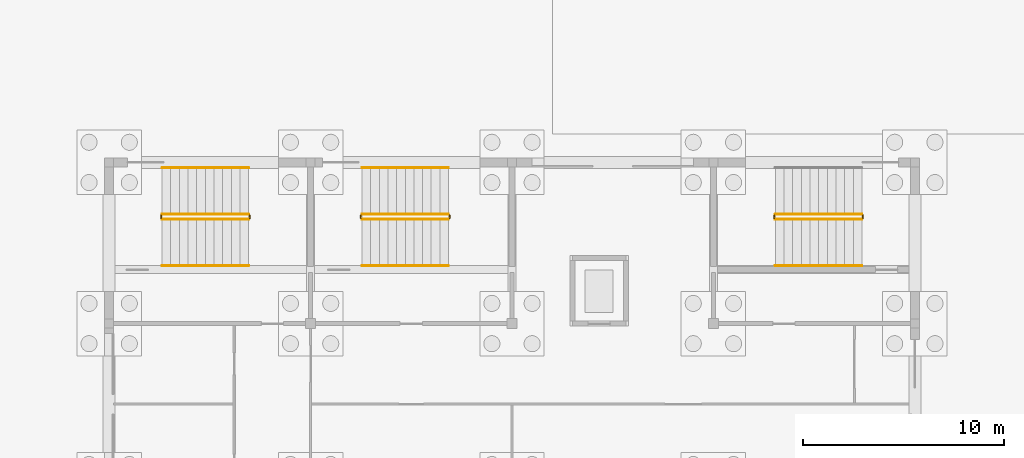
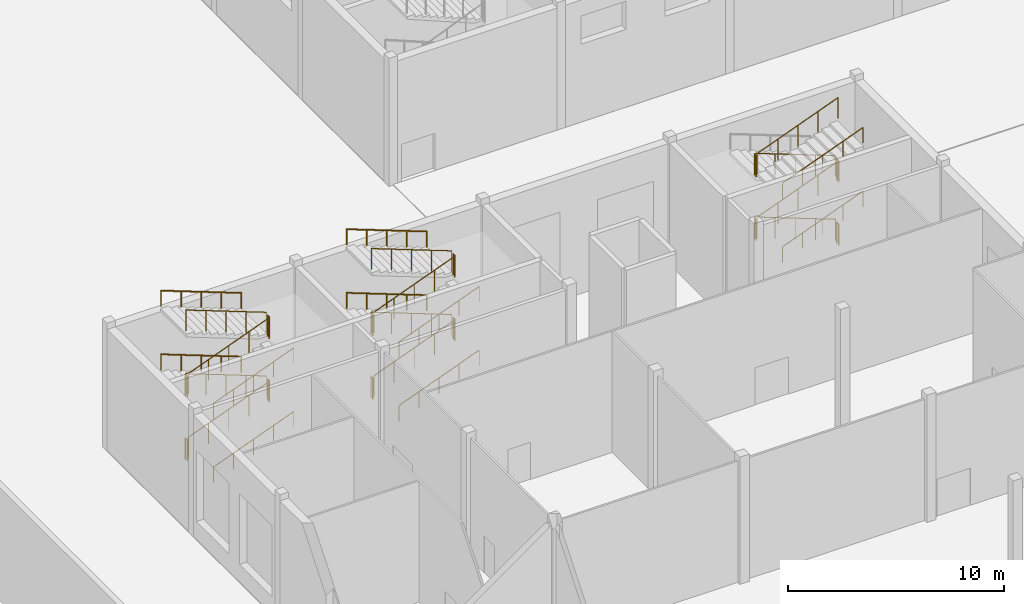
# One storey, part 207 of 239: 34 railings.
"""IFC4 building model written with IfcOpenShell, lengths in metres."""

from ifc_helpers import new_model, si_unit, direction, frame, origin, origin_2d, place, context, subcontext, project, spatial, circle, extrude, material, type_object, element, save


model = new_model("IFC4")

# Units and contexts
model_context = context("Model", 3, precision=1e-05, world=origin(), true_north=direction((0.0, 1.0)))
body_context = subcontext(model_context, "Body", "Model", "MODEL_VIEW")
ifc_project = project(units=[si_unit("LENGTHUNIT", "METRE"), si_unit("AREAUNIT", "SQUARE_METRE"), si_unit("VOLUMEUNIT", "CUBIC_METRE"), si_unit("PLANEANGLEUNIT", "RADIAN"), si_unit("MASSUNIT", "GRAM", prefix="KILO")], contexts=[model_context])

# Site, building, storey
site_placement = place(None, origin())
site = spatial("IfcSite", under=ifc_project, at=site_placement, CompositionType="ELEMENT")
building_placement = place(site_placement, origin())
building = spatial("IfcBuilding", under=site, at=building_placement, Name="Okhra Congress Centre", CompositionType="ELEMENT")
storey_placement = place(building_placement, origin())
storey = spatial("IfcBuildingStorey", under=building, at=storey_placement, Name="L00", CompositionType="ELEMENT", Elevation=0.0)

# Railings
ifc_material_1 = material(Name="Painted steel tube handrail on wall brackets", Category="steel")
railing_type_1 = type_object("IfcRailingType", Name="Steel handrail 900", PredefinedType="HANDRAIL", material=ifc_material_1)
railing_1_placement = place(storey_placement, frame((8.625, 78.875, 0.16357421875)))
element("IfcRailing", 1, at=railing_1_placement, inside=storey, type_object=railing_type_1, Name="L00 R1 stair handrail 1", PredefinedType="HANDRAIL", context=body_context, shape_type="SweptSolid", body=[
    extrude(circle(Radius=0.02392578125, at=origin_2d()), frame((0.0, 0.0, 0.8759765625), z_axis=(0.934606208977, 0.0, 0.355684177526), x_axis=(0.0, 1.0, 0.0)), (0.0, 0.0, 1.0), 4.600830078125),
    extrude(circle(Radius=0.02099609375, at=origin_2d()), origin(), (0.0, 0.0, 1.0), 0.851806640625),
    extrude(circle(Radius=0.02099609375, at=origin_2d()), frame((1.074951171875, 0.0, 0.4091796875)), (0.0, 0.0, 1.0), 0.851806640625),
    extrude(circle(Radius=0.02099609375, at=origin_2d()), frame((2.14990234375, 0.0, 0.818359375)), (0.0, 0.0, 1.0), 0.851806640625),
    extrude(circle(Radius=0.02099609375, at=origin_2d()), frame((3.22509765625, 0.0, 1.227294921875)), (0.0, 0.0, 1.0), 0.851806640625),
    extrude(circle(Radius=0.02099609375, at=origin_2d()), frame((4.300048828125, 0.0, 1.636474609375)), (0.0, 0.0, 1.0), 0.851806640625),
])
railing_2_placement = place(storey_placement, frame((12.925048828125, 83.72509765625, 1.963623046875)))
element("IfcRailing", 2, at=railing_2_placement, inside=storey, type_object=railing_type_1, Name="L00 R1 stair handrail 2", PredefinedType="HANDRAIL", context=body_context, shape_type="SweptSolid", body=[
    extrude(circle(Radius=0.02392578125, at=origin_2d()), frame((0.0, 0.0, 0.8759765625), z_axis=(-0.934606208977, 0.0, 0.355684177526), x_axis=(0.0, -1.0, 0.0)), (0.0, 0.0, 1.0), 4.600830078125),
    extrude(circle(Radius=0.02099609375, at=origin_2d()), origin(), (0.0, 0.0, 1.0), 0.851806640625),
    extrude(circle(Radius=0.02099609375, at=origin_2d()), frame((-1.074951171875, 0.0, 0.4091796875)), (0.0, 0.0, 1.0), 0.851806640625),
    extrude(circle(Radius=0.02099609375, at=origin_2d()), frame((-2.14990234375, 0.0, 0.818359375)), (0.0, 0.0, 1.0), 0.851806640625),
    extrude(circle(Radius=0.02099609375, at=origin_2d()), frame((-3.22509765625, 0.0, 1.227294921875)), (0.0, 0.0, 1.0), 0.851806640625),
    extrude(circle(Radius=0.02099609375, at=origin_2d()), frame((-4.300048828125, 0.0, 1.636474609375)), (0.0, 0.0, 1.0), 0.851806640625),
])
railing_3_placement = place(storey_placement, frame((8.625, 78.875, 3.763671875)))
element("IfcRailing", 3, at=railing_3_placement, inside=storey, type_object=railing_type_1, Name="L00 R1 stair handrail 3", PredefinedType="HANDRAIL", context=body_context, shape_type="SweptSolid", body=[
    extrude(circle(Radius=0.02392578125, at=origin_2d()), frame((0.0, 0.0, 0.8759765625), z_axis=(0.934623847752, 0.0, 0.355637825903), x_axis=(0.0, 1.0, 0.0)), (0.0, 0.0, 1.0), 4.600830078125),
    extrude(circle(Radius=0.02099609375, at=origin_2d()), origin(), (0.0, 0.0, 1.0), 0.851806640625),
    extrude(circle(Radius=0.02099609375, at=origin_2d()), frame((1.074951171875, 0.0, 0.4091796875)), (0.0, 0.0, 1.0), 0.851806640625),
    extrude(circle(Radius=0.02099609375, at=origin_2d()), frame((2.14990234375, 0.0, 0.818115234375)), (0.0, 0.0, 1.0), 0.851806640625),
    extrude(circle(Radius=0.02099609375, at=origin_2d()), frame((3.22509765625, 0.0, 1.22705078125)), (0.0, 0.0, 1.0), 0.851806640625),
    extrude(circle(Radius=0.02099609375, at=origin_2d()), frame((4.300048828125, 0.0, 1.63623046875)), (0.0, 0.0, 1.0), 0.851806640625),
])
railing_4_placement = place(storey_placement, frame((12.925048828125, 83.72509765625, 5.563720703125)))
element("IfcRailing", 4, at=railing_4_placement, inside=storey, type_object=railing_type_1, Name="L00 R1 stair handrail 4", PredefinedType="HANDRAIL", context=body_context, shape_type="SweptSolid", body=[
    extrude(circle(Radius=0.02392578125, at=origin_2d()), frame((0.0, 0.0, 0.8759765625), z_axis=(-0.934623847752, 0.0, 0.355637825903), x_axis=(0.0, -1.0, 0.0)), (0.0, 0.0, 1.0), 4.600830078125),
    extrude(circle(Radius=0.02099609375, at=origin_2d()), origin(), (0.0, 0.0, 1.0), 0.851806640625),
    extrude(circle(Radius=0.02099609375, at=origin_2d()), frame((-1.074951171875, 0.0, 0.4091796875)), (0.0, 0.0, 1.0), 0.851806640625),
    extrude(circle(Radius=0.02099609375, at=origin_2d()), frame((-2.14990234375, 0.0, 0.818115234375)), (0.0, 0.0, 1.0), 0.851806640625),
    extrude(circle(Radius=0.02099609375, at=origin_2d()), frame((-3.22509765625, 0.0, 1.22705078125)), (0.0, 0.0, 1.0), 0.851806640625),
    extrude(circle(Radius=0.02099609375, at=origin_2d()), frame((-4.300048828125, 0.0, 1.63623046875)), (0.0, 0.0, 1.0), 0.851806640625),
])
railing_5_placement = place(storey_placement, frame((18.550048828125, 78.875, 0.16357421875)))
element("IfcRailing", 5, at=railing_5_placement, inside=storey, type_object=railing_type_1, Name="L00 R3 stair handrail 1", PredefinedType="HANDRAIL", context=body_context, shape_type="SweptSolid", body=[
    extrude(circle(Radius=0.02392578125, at=origin_2d()), frame((0.0, 0.0, 0.8759765625), z_axis=(0.934606208977, 0.0, 0.355684177526), x_axis=(0.0, 1.0, 0.0)), (0.0, 0.0, 1.0), 4.600830078125),
    extrude(circle(Radius=0.02099609375, at=origin_2d()), origin(), (0.0, 0.0, 1.0), 0.851806640625),
    extrude(circle(Radius=0.02099609375, at=origin_2d()), frame((1.074951171875, 0.0, 0.4091796875)), (0.0, 0.0, 1.0), 0.851806640625),
    extrude(circle(Radius=0.02099609375, at=origin_2d()), frame((2.14990234375, 0.0, 0.818359375)), (0.0, 0.0, 1.0), 0.851806640625),
    extrude(circle(Radius=0.02099609375, at=origin_2d()), frame((3.22509765625, 0.0, 1.227294921875)), (0.0, 0.0, 1.0), 0.851806640625),
    extrude(circle(Radius=0.02099609375, at=origin_2d()), frame((4.300048828125, 0.0, 1.636474609375)), (0.0, 0.0, 1.0), 0.851806640625),
])
railing_6_placement = place(storey_placement, frame((22.85009765625, 83.72509765625, 1.963623046875)))
element("IfcRailing", 6, at=railing_6_placement, inside=storey, type_object=railing_type_1, Name="L00 R3 stair handrail 2", PredefinedType="HANDRAIL", context=body_context, shape_type="SweptSolid", body=[
    extrude(circle(Radius=0.02392578125, at=origin_2d()), frame((0.0, 0.0, 0.8759765625), z_axis=(-0.934606208977, 0.0, 0.355684177526), x_axis=(0.0, -1.0, 0.0)), (0.0, 0.0, 1.0), 4.600830078125),
    extrude(circle(Radius=0.02099609375, at=origin_2d()), origin(), (0.0, 0.0, 1.0), 0.851806640625),
    extrude(circle(Radius=0.02099609375, at=origin_2d()), frame((-1.074951171875, 0.0, 0.4091796875)), (0.0, 0.0, 1.0), 0.851806640625),
    extrude(circle(Radius=0.02099609375, at=origin_2d()), frame((-2.14990234375, 0.0, 0.818359375)), (0.0, 0.0, 1.0), 0.851806640625),
    extrude(circle(Radius=0.02099609375, at=origin_2d()), frame((-3.22509765625, 0.0, 1.227294921875)), (0.0, 0.0, 1.0), 0.851806640625),
    extrude(circle(Radius=0.02099609375, at=origin_2d()), frame((-4.300048828125, 0.0, 1.636474609375)), (0.0, 0.0, 1.0), 0.851806640625),
])
railing_7_placement = place(storey_placement, frame((18.550048828125, 78.875, 3.763671875)))
element("IfcRailing", 7, at=railing_7_placement, inside=storey, type_object=railing_type_1, Name="L00 R3 stair handrail 3", PredefinedType="HANDRAIL", context=body_context, shape_type="SweptSolid", body=[
    extrude(circle(Radius=0.02392578125, at=origin_2d()), frame((0.0, 0.0, 0.8759765625), z_axis=(0.934623847752, 0.0, 0.355637825903), x_axis=(0.0, 1.0, 0.0)), (0.0, 0.0, 1.0), 4.600830078125),
    extrude(circle(Radius=0.02099609375, at=origin_2d()), origin(), (0.0, 0.0, 1.0), 0.851806640625),
    extrude(circle(Radius=0.02099609375, at=origin_2d()), frame((1.074951171875, 0.0, 0.4091796875)), (0.0, 0.0, 1.0), 0.851806640625),
    extrude(circle(Radius=0.02099609375, at=origin_2d()), frame((2.14990234375, 0.0, 0.818115234375)), (0.0, 0.0, 1.0), 0.851806640625),
    extrude(circle(Radius=0.02099609375, at=origin_2d()), frame((3.22509765625, 0.0, 1.22705078125)), (0.0, 0.0, 1.0), 0.851806640625),
    extrude(circle(Radius=0.02099609375, at=origin_2d()), frame((4.300048828125, 0.0, 1.63623046875)), (0.0, 0.0, 1.0), 0.851806640625),
])
railing_8_placement = place(storey_placement, frame((22.85009765625, 83.72509765625, 5.563720703125)))
element("IfcRailing", 8, at=railing_8_placement, inside=storey, type_object=railing_type_1, Name="L00 R3 stair handrail 4", PredefinedType="HANDRAIL", context=body_context, shape_type="SweptSolid", body=[
    extrude(circle(Radius=0.02392578125, at=origin_2d()), frame((0.0, 0.0, 0.8759765625), z_axis=(-0.934623847752, 0.0, 0.355637825903), x_axis=(0.0, -1.0, 0.0)), (0.0, 0.0, 1.0), 4.600830078125),
    extrude(circle(Radius=0.02099609375, at=origin_2d()), origin(), (0.0, 0.0, 1.0), 0.851806640625),
    extrude(circle(Radius=0.02099609375, at=origin_2d()), frame((-1.074951171875, 0.0, 0.4091796875)), (0.0, 0.0, 1.0), 0.851806640625),
    extrude(circle(Radius=0.02099609375, at=origin_2d()), frame((-2.14990234375, 0.0, 0.818115234375)), (0.0, 0.0, 1.0), 0.851806640625),
    extrude(circle(Radius=0.02099609375, at=origin_2d()), frame((-3.22509765625, 0.0, 1.22705078125)), (0.0, 0.0, 1.0), 0.851806640625),
    extrude(circle(Radius=0.02099609375, at=origin_2d()), frame((-4.300048828125, 0.0, 1.63623046875)), (0.0, 0.0, 1.0), 0.851806640625),
])
railing_9_placement = place(storey_placement, frame((39.074951171875, 78.875, 1.963623046875)))
element("IfcRailing", 9, at=railing_9_placement, inside=storey, type_object=railing_type_1, Name="L00 R2 stair handrail 2", PredefinedType="HANDRAIL", context=body_context, shape_type="SweptSolid", body=[
    extrude(circle(Radius=0.02392578125, at=origin_2d()), frame((0.0, 0.0, 0.8759765625), z_axis=(0.934606208977, 0.0, 0.355684177526), x_axis=(0.0, 1.0, 0.0)), (0.0, 0.0, 1.0), 4.600830078125),
    extrude(circle(Radius=0.02099609375, at=origin_2d()), origin(), (0.0, 0.0, 1.0), 0.851806640625),
    extrude(circle(Radius=0.02099609375, at=origin_2d()), frame((1.074951171875, 0.0, 0.4091796875)), (0.0, 0.0, 1.0), 0.851806640625),
    extrude(circle(Radius=0.02099609375, at=origin_2d()), frame((2.14990234375, 0.0, 0.818359375)), (0.0, 0.0, 1.0), 0.851806640625),
    extrude(circle(Radius=0.02099609375, at=origin_2d()), frame((3.22509765625, 0.0, 1.227294921875)), (0.0, 0.0, 1.0), 0.851806640625),
    extrude(circle(Radius=0.02099609375, at=origin_2d()), frame((4.300048828125, 0.0, 1.636474609375)), (0.0, 0.0, 1.0), 0.851806640625),
])
railing_10_placement = place(storey_placement, frame((39.074951171875, 78.875, 5.563720703125)))
element("IfcRailing", 10, at=railing_10_placement, inside=storey, type_object=railing_type_1, Name="L00 R2 stair handrail 4", PredefinedType="HANDRAIL", context=body_context, shape_type="SweptSolid", body=[
    extrude(circle(Radius=0.02392578125, at=origin_2d()), frame((0.0, 0.0, 0.8759765625), z_axis=(0.934623847752, 0.0, 0.355637825903), x_axis=(0.0, 1.0, 0.0)), (0.0, 0.0, 1.0), 4.600830078125),
    extrude(circle(Radius=0.02099609375, at=origin_2d()), origin(), (0.0, 0.0, 1.0), 0.851806640625),
    extrude(circle(Radius=0.02099609375, at=origin_2d()), frame((1.074951171875, 0.0, 0.4091796875)), (0.0, 0.0, 1.0), 0.851806640625),
    extrude(circle(Radius=0.02099609375, at=origin_2d()), frame((2.14990234375, 0.0, 0.818115234375)), (0.0, 0.0, 1.0), 0.851806640625),
    extrude(circle(Radius=0.02099609375, at=origin_2d()), frame((3.22509765625, 0.0, 1.22705078125)), (0.0, 0.0, 1.0), 0.851806640625),
    extrude(circle(Radius=0.02099609375, at=origin_2d()), frame((4.300048828125, 0.0, 1.63623046875)), (0.0, 0.0, 1.0), 0.851806640625),
])
ifc_material_2 = material(Name="Painted steel tube guard with vertical steel balusters", Category="steel")
railing_type_2 = type_object("IfcRailingType", Name="Steel stair guard 1200", PredefinedType="GUARDRAIL", material=ifc_material_2)
railing_11_placement = place(storey_placement, frame((8.625, 81.175048828125, 0.16357421875)))
element("IfcRailing", 11, at=railing_11_placement, inside=storey, type_object=railing_type_2, Name="L00 R1 stair guard 1", PredefinedType="GUARDRAIL", context=body_context, shape_type="SweptSolid", body=[
    extrude(circle(Radius=0.02392578125, at=origin_2d()), frame((0.0, 0.0, 1.17578125), z_axis=(0.934606208977, 0.0, 0.355684177526), x_axis=(0.0, 1.0, 0.0)), (0.0, 0.0, 1.0), 4.600830078125),
    extrude(circle(Radius=0.02099609375, at=origin_2d()), origin(), (0.0, 0.0, 1.0), 1.15185546875),
    extrude(circle(Radius=0.02099609375, at=origin_2d()), frame((1.074951171875, 0.0, 0.4091796875)), (0.0, 0.0, 1.0), 1.15185546875),
    extrude(circle(Radius=0.02099609375, at=origin_2d()), frame((2.14990234375, 0.0, 0.818359375)), (0.0, 0.0, 1.0), 1.15185546875),
    extrude(circle(Radius=0.02099609375, at=origin_2d()), frame((3.22509765625, 0.0, 1.227294921875)), (0.0, 0.0, 1.0), 1.15185546875),
    extrude(circle(Radius=0.02099609375, at=origin_2d()), frame((4.300048828125, 0.0, 1.636474609375)), (0.0, 0.0, 1.0), 1.15185546875),
])
railing_12_placement = place(storey_placement, frame((12.97509765625, 81.22509765625, 1.800048828125)))
element("IfcRailing", 12, at=railing_12_placement, inside=storey, type_object=railing_type_2, Name="L00 R1 stair guard 2", PredefinedType="GUARDRAIL", context=body_context, shape_type="SweptSolid", body=[
    extrude(circle(Radius=0.02392578125, at=origin_2d()), frame((0.0, 0.0, 1.17578125), z_axis=(0.0, 1.0, 0.0), x_axis=(-1.0, 0.0, 0.0)), (0.0, 0.0, 1.0), 0.14990234375),
    extrude(circle(Radius=0.02099609375, at=origin_2d()), origin(), (0.0, 0.0, 1.0), 1.15185546875),
    extrude(circle(Radius=0.02099609375, at=origin_2d()), frame((0.0, 0.14990234375, 0.0)), (0.0, 0.0, 1.0), 1.15185546875),
])
railing_13_placement = place(storey_placement, frame((12.925048828125, 81.425048828125, 1.963623046875)))
element("IfcRailing", 13, at=railing_13_placement, inside=storey, type_object=railing_type_2, Name="L00 R1 stair guard 3", PredefinedType="GUARDRAIL", context=body_context, shape_type="SweptSolid", body=[
    extrude(circle(Radius=0.02392578125, at=origin_2d()), frame((0.0, 0.0, 1.17578125), z_axis=(-0.934606208977, 0.0, 0.355684177526), x_axis=(0.0, -1.0, 0.0)), (0.0, 0.0, 1.0), 4.600830078125),
    extrude(circle(Radius=0.02099609375, at=origin_2d()), origin(), (0.0, 0.0, 1.0), 1.15185546875),
    extrude(circle(Radius=0.02099609375, at=origin_2d()), frame((-1.074951171875, 0.0, 0.4091796875)), (0.0, 0.0, 1.0), 1.15185546875),
    extrude(circle(Radius=0.02099609375, at=origin_2d()), frame((-2.14990234375, 0.0, 0.818359375)), (0.0, 0.0, 1.0), 1.15185546875),
    extrude(circle(Radius=0.02099609375, at=origin_2d()), frame((-3.22509765625, 0.0, 1.227294921875)), (0.0, 0.0, 1.0), 1.15185546875),
    extrude(circle(Radius=0.02099609375, at=origin_2d()), frame((-4.300048828125, 0.0, 1.636474609375)), (0.0, 0.0, 1.0), 1.15185546875),
])
railing_14_placement = place(storey_placement, frame((8.574951171875, 81.22509765625, 3.60009765625)))
element("IfcRailing", 14, at=railing_14_placement, inside=storey, type_object=railing_type_2, Name="L00 R1 stair guard 4", PredefinedType="GUARDRAIL", context=body_context, shape_type="SweptSolid", body=[
    extrude(circle(Radius=0.02392578125, at=origin_2d()), frame((0.0, 0.0, 1.17578125), z_axis=(0.0, 1.0, 0.0), x_axis=(-1.0, 0.0, 0.0)), (0.0, 0.0, 1.0), 0.14990234375),
    extrude(circle(Radius=0.02099609375, at=origin_2d()), origin(), (0.0, 0.0, 1.0), 1.15185546875),
    extrude(circle(Radius=0.02099609375, at=origin_2d()), frame((0.0, 0.14990234375, 0.0)), (0.0, 0.0, 1.0), 1.15185546875),
])
railing_15_placement = place(storey_placement, frame((8.625, 81.175048828125, 3.763671875)))
element("IfcRailing", 15, at=railing_15_placement, inside=storey, type_object=railing_type_2, Name="L00 R1 stair guard 5", PredefinedType="GUARDRAIL", context=body_context, shape_type="SweptSolid", body=[
    extrude(circle(Radius=0.02392578125, at=origin_2d()), frame((0.0, 0.0, 1.17578125), z_axis=(0.934623847752, 0.0, 0.355637825903), x_axis=(0.0, 1.0, 0.0)), (0.0, 0.0, 1.0), 4.600830078125),
    extrude(circle(Radius=0.02099609375, at=origin_2d()), origin(), (0.0, 0.0, 1.0), 1.15185546875),
    extrude(circle(Radius=0.02099609375, at=origin_2d()), frame((1.074951171875, 0.0, 0.4091796875)), (0.0, 0.0, 1.0), 1.15185546875),
    extrude(circle(Radius=0.02099609375, at=origin_2d()), frame((2.14990234375, 0.0, 0.818115234375)), (0.0, 0.0, 1.0), 1.15185546875),
    extrude(circle(Radius=0.02099609375, at=origin_2d()), frame((3.22509765625, 0.0, 1.22705078125)), (0.0, 0.0, 1.0), 1.15185546875),
    extrude(circle(Radius=0.02099609375, at=origin_2d()), frame((4.300048828125, 0.0, 1.63623046875)), (0.0, 0.0, 1.0), 1.15185546875),
])
railing_16_placement = place(storey_placement, frame((12.97509765625, 81.22509765625, 5.39990234375)))
element("IfcRailing", 16, at=railing_16_placement, inside=storey, type_object=railing_type_2, Name="L00 R1 stair guard 6", PredefinedType="GUARDRAIL", context=body_context, shape_type="SweptSolid", body=[
    extrude(circle(Radius=0.02392578125, at=origin_2d()), frame((0.0, 0.0, 1.17578125), z_axis=(0.0, 1.0, 0.0), x_axis=(-1.0, 0.0, 0.0)), (0.0, 0.0, 1.0), 0.14990234375),
    extrude(circle(Radius=0.02099609375, at=origin_2d()), origin(), (0.0, 0.0, 1.0), 1.15185546875),
    extrude(circle(Radius=0.02099609375, at=origin_2d()), frame((0.0, 0.14990234375, 0.0)), (0.0, 0.0, 1.0), 1.15185546875),
])
railing_17_placement = place(storey_placement, frame((12.925048828125, 81.425048828125, 5.563720703125)))
element("IfcRailing", 17, at=railing_17_placement, inside=storey, type_object=railing_type_2, Name="L00 R1 stair guard 7", PredefinedType="GUARDRAIL", context=body_context, shape_type="SweptSolid", body=[
    extrude(circle(Radius=0.02392578125, at=origin_2d()), frame((0.0, 0.0, 1.17578125), z_axis=(-0.934623847752, 0.0, 0.355637825903), x_axis=(0.0, -1.0, 0.0)), (0.0, 0.0, 1.0), 4.600830078125),
    extrude(circle(Radius=0.02099609375, at=origin_2d()), origin(), (0.0, 0.0, 1.0), 1.15185546875),
    extrude(circle(Radius=0.02099609375, at=origin_2d()), frame((-1.074951171875, 0.0, 0.4091796875)), (0.0, 0.0, 1.0), 1.15185546875),
    extrude(circle(Radius=0.02099609375, at=origin_2d()), frame((-2.14990234375, 0.0, 0.818115234375)), (0.0, 0.0, 1.0), 1.15185546875),
    extrude(circle(Radius=0.02099609375, at=origin_2d()), frame((-3.22509765625, 0.0, 1.22705078125)), (0.0, 0.0, 1.0), 1.15185546875),
    extrude(circle(Radius=0.02099609375, at=origin_2d()), frame((-4.300048828125, 0.0, 1.63623046875)), (0.0, 0.0, 1.0), 1.15185546875),
])
railing_18_placement = place(storey_placement, frame((8.574951171875, 81.22509765625, 0.0)))
element("IfcRailing", 18, at=railing_18_placement, inside=storey, type_object=railing_type_2, Name="L00 R1 stair guard 8", PredefinedType="GUARDRAIL", context=body_context, shape_type="SweptSolid", body=[
    extrude(circle(Radius=0.02392578125, at=origin_2d()), frame((0.0, 0.0, 1.17578125), z_axis=(0.0, 1.0, 0.0), x_axis=(-1.0, 0.0, 0.0)), (0.0, 0.0, 1.0), 0.14990234375),
    extrude(circle(Radius=0.02099609375, at=origin_2d()), origin(), (0.0, 0.0, 1.0), 1.15185546875),
    extrude(circle(Radius=0.02099609375, at=origin_2d()), frame((0.0, 0.14990234375, 0.0)), (0.0, 0.0, 1.0), 1.15185546875),
])
railing_19_placement = place(storey_placement, frame((18.550048828125, 81.175048828125, 0.16357421875)))
element("IfcRailing", 19, at=railing_19_placement, inside=storey, type_object=railing_type_2, Name="L00 R3 stair guard 1", PredefinedType="GUARDRAIL", context=body_context, shape_type="SweptSolid", body=[
    extrude(circle(Radius=0.02392578125, at=origin_2d()), frame((0.0, 0.0, 1.17578125), z_axis=(0.934606208977, 0.0, 0.355684177526), x_axis=(0.0, 1.0, 0.0)), (0.0, 0.0, 1.0), 4.600830078125),
    extrude(circle(Radius=0.02099609375, at=origin_2d()), origin(), (0.0, 0.0, 1.0), 1.15185546875),
    extrude(circle(Radius=0.02099609375, at=origin_2d()), frame((1.074951171875, 0.0, 0.4091796875)), (0.0, 0.0, 1.0), 1.15185546875),
    extrude(circle(Radius=0.02099609375, at=origin_2d()), frame((2.14990234375, 0.0, 0.818359375)), (0.0, 0.0, 1.0), 1.15185546875),
    extrude(circle(Radius=0.02099609375, at=origin_2d()), frame((3.22509765625, 0.0, 1.227294921875)), (0.0, 0.0, 1.0), 1.15185546875),
    extrude(circle(Radius=0.02099609375, at=origin_2d()), frame((4.300048828125, 0.0, 1.636474609375)), (0.0, 0.0, 1.0), 1.15185546875),
])
railing_20_placement = place(storey_placement, frame((22.89990234375, 81.22509765625, 1.800048828125)))
element("IfcRailing", 20, at=railing_20_placement, inside=storey, type_object=railing_type_2, Name="L00 R3 stair guard 2", PredefinedType="GUARDRAIL", context=body_context, shape_type="SweptSolid", body=[
    extrude(circle(Radius=0.02392578125, at=origin_2d()), frame((0.0, 0.0, 1.17578125), z_axis=(0.0, 1.0, 0.0), x_axis=(-1.0, 0.0, 0.0)), (0.0, 0.0, 1.0), 0.14990234375),
    extrude(circle(Radius=0.02099609375, at=origin_2d()), origin(), (0.0, 0.0, 1.0), 1.15185546875),
    extrude(circle(Radius=0.02099609375, at=origin_2d()), frame((0.0, 0.14990234375, 0.0)), (0.0, 0.0, 1.0), 1.15185546875),
])
railing_21_placement = place(storey_placement, frame((22.85009765625, 81.425048828125, 1.963623046875)))
element("IfcRailing", 21, at=railing_21_placement, inside=storey, type_object=railing_type_2, Name="L00 R3 stair guard 3", PredefinedType="GUARDRAIL", context=body_context, shape_type="SweptSolid", body=[
    extrude(circle(Radius=0.02392578125, at=origin_2d()), frame((0.0, 0.0, 1.17578125), z_axis=(-0.934606208977, 0.0, 0.355684177526), x_axis=(0.0, -1.0, 0.0)), (0.0, 0.0, 1.0), 4.600830078125),
    extrude(circle(Radius=0.02099609375, at=origin_2d()), origin(), (0.0, 0.0, 1.0), 1.15185546875),
    extrude(circle(Radius=0.02099609375, at=origin_2d()), frame((-1.074951171875, 0.0, 0.4091796875)), (0.0, 0.0, 1.0), 1.15185546875),
    extrude(circle(Radius=0.02099609375, at=origin_2d()), frame((-2.14990234375, 0.0, 0.818359375)), (0.0, 0.0, 1.0), 1.15185546875),
    extrude(circle(Radius=0.02099609375, at=origin_2d()), frame((-3.22509765625, 0.0, 1.227294921875)), (0.0, 0.0, 1.0), 1.15185546875),
    extrude(circle(Radius=0.02099609375, at=origin_2d()), frame((-4.300048828125, 0.0, 1.636474609375)), (0.0, 0.0, 1.0), 1.15185546875),
])
railing_22_placement = place(storey_placement, frame((18.5, 81.22509765625, 3.60009765625)))
element("IfcRailing", 22, at=railing_22_placement, inside=storey, type_object=railing_type_2, Name="L00 R3 stair guard 4", PredefinedType="GUARDRAIL", context=body_context, shape_type="SweptSolid", body=[
    extrude(circle(Radius=0.02392578125, at=origin_2d()), frame((0.0, 0.0, 1.17578125), z_axis=(0.0, 1.0, 0.0), x_axis=(-1.0, 0.0, 0.0)), (0.0, 0.0, 1.0), 0.14990234375),
    extrude(circle(Radius=0.02099609375, at=origin_2d()), origin(), (0.0, 0.0, 1.0), 1.15185546875),
    extrude(circle(Radius=0.02099609375, at=origin_2d()), frame((0.0, 0.14990234375, 0.0)), (0.0, 0.0, 1.0), 1.15185546875),
])
railing_23_placement = place(storey_placement, frame((18.550048828125, 81.175048828125, 3.763671875)))
element("IfcRailing", 23, at=railing_23_placement, inside=storey, type_object=railing_type_2, Name="L00 R3 stair guard 5", PredefinedType="GUARDRAIL", context=body_context, shape_type="SweptSolid", body=[
    extrude(circle(Radius=0.02392578125, at=origin_2d()), frame((0.0, 0.0, 1.17578125), z_axis=(0.934623847752, 0.0, 0.355637825903), x_axis=(0.0, 1.0, 0.0)), (0.0, 0.0, 1.0), 4.600830078125),
    extrude(circle(Radius=0.02099609375, at=origin_2d()), origin(), (0.0, 0.0, 1.0), 1.15185546875),
    extrude(circle(Radius=0.02099609375, at=origin_2d()), frame((1.074951171875, 0.0, 0.4091796875)), (0.0, 0.0, 1.0), 1.15185546875),
    extrude(circle(Radius=0.02099609375, at=origin_2d()), frame((2.14990234375, 0.0, 0.818115234375)), (0.0, 0.0, 1.0), 1.15185546875),
    extrude(circle(Radius=0.02099609375, at=origin_2d()), frame((3.22509765625, 0.0, 1.22705078125)), (0.0, 0.0, 1.0), 1.15185546875),
    extrude(circle(Radius=0.02099609375, at=origin_2d()), frame((4.300048828125, 0.0, 1.63623046875)), (0.0, 0.0, 1.0), 1.15185546875),
])
railing_24_placement = place(storey_placement, frame((22.89990234375, 81.22509765625, 5.39990234375)))
element("IfcRailing", 24, at=railing_24_placement, inside=storey, type_object=railing_type_2, Name="L00 R3 stair guard 6", PredefinedType="GUARDRAIL", context=body_context, shape_type="SweptSolid", body=[
    extrude(circle(Radius=0.02392578125, at=origin_2d()), frame((0.0, 0.0, 1.17578125), z_axis=(0.0, 1.0, 0.0), x_axis=(-1.0, 0.0, 0.0)), (0.0, 0.0, 1.0), 0.14990234375),
    extrude(circle(Radius=0.02099609375, at=origin_2d()), origin(), (0.0, 0.0, 1.0), 1.15185546875),
    extrude(circle(Radius=0.02099609375, at=origin_2d()), frame((0.0, 0.14990234375, 0.0)), (0.0, 0.0, 1.0), 1.15185546875),
])
railing_25_placement = place(storey_placement, frame((22.85009765625, 81.425048828125, 5.563720703125)))
element("IfcRailing", 25, at=railing_25_placement, inside=storey, type_object=railing_type_2, Name="L00 R3 stair guard 7", PredefinedType="GUARDRAIL", context=body_context, shape_type="SweptSolid", body=[
    extrude(circle(Radius=0.02392578125, at=origin_2d()), frame((0.0, 0.0, 1.17578125), z_axis=(-0.934623847752, 0.0, 0.355637825903), x_axis=(0.0, -1.0, 0.0)), (0.0, 0.0, 1.0), 4.600830078125),
    extrude(circle(Radius=0.02099609375, at=origin_2d()), origin(), (0.0, 0.0, 1.0), 1.15185546875),
    extrude(circle(Radius=0.02099609375, at=origin_2d()), frame((-1.074951171875, 0.0, 0.4091796875)), (0.0, 0.0, 1.0), 1.15185546875),
    extrude(circle(Radius=0.02099609375, at=origin_2d()), frame((-2.14990234375, 0.0, 0.818115234375)), (0.0, 0.0, 1.0), 1.15185546875),
    extrude(circle(Radius=0.02099609375, at=origin_2d()), frame((-3.22509765625, 0.0, 1.22705078125)), (0.0, 0.0, 1.0), 1.15185546875),
    extrude(circle(Radius=0.02099609375, at=origin_2d()), frame((-4.300048828125, 0.0, 1.63623046875)), (0.0, 0.0, 1.0), 1.15185546875),
])
railing_26_placement = place(storey_placement, frame((18.5, 81.22509765625, 0.0)))
element("IfcRailing", 26, at=railing_26_placement, inside=storey, type_object=railing_type_2, Name="L00 R3 stair guard 8", PredefinedType="GUARDRAIL", context=body_context, shape_type="SweptSolid", body=[
    extrude(circle(Radius=0.02392578125, at=origin_2d()), frame((0.0, 0.0, 1.17578125), z_axis=(0.0, 1.0, 0.0), x_axis=(-1.0, 0.0, 0.0)), (0.0, 0.0, 1.0), 0.14990234375),
    extrude(circle(Radius=0.02099609375, at=origin_2d()), origin(), (0.0, 0.0, 1.0), 1.15185546875),
    extrude(circle(Radius=0.02099609375, at=origin_2d()), frame((0.0, 0.14990234375, 0.0)), (0.0, 0.0, 1.0), 1.15185546875),
])
railing_27_placement = place(storey_placement, frame((43.375, 81.425048828125, 0.16357421875)))
element("IfcRailing", 27, at=railing_27_placement, inside=storey, type_object=railing_type_2, Name="L00 R2 stair guard 1", PredefinedType="GUARDRAIL", context=body_context, shape_type="SweptSolid", body=[
    extrude(circle(Radius=0.02392578125, at=origin_2d()), frame((0.0, 0.0, 1.17578125), z_axis=(-0.934606208977, 0.0, 0.355684177526), x_axis=(0.0, -1.0, 0.0)), (0.0, 0.0, 1.0), 4.600830078125),
    extrude(circle(Radius=0.02099609375, at=origin_2d()), origin(), (0.0, 0.0, 1.0), 1.15185546875),
    extrude(circle(Radius=0.02099609375, at=origin_2d()), frame((-1.074951171875, 0.0, 0.4091796875)), (0.0, 0.0, 1.0), 1.15185546875),
    extrude(circle(Radius=0.02099609375, at=origin_2d()), frame((-2.14990234375, 0.0, 0.818359375)), (0.0, 0.0, 1.0), 1.15185546875),
    extrude(circle(Radius=0.02099609375, at=origin_2d()), frame((-3.22509765625, 0.0, 1.227294921875)), (0.0, 0.0, 1.0), 1.15185546875),
    extrude(circle(Radius=0.02099609375, at=origin_2d()), frame((-4.300048828125, 0.0, 1.636474609375)), (0.0, 0.0, 1.0), 1.15185546875),
])
railing_28_placement = place(storey_placement, frame((39.02490234375, 81.375, 1.800048828125)))
element("IfcRailing", 28, at=railing_28_placement, inside=storey, type_object=railing_type_2, Name="L00 R2 stair guard 2", PredefinedType="GUARDRAIL", context=body_context, shape_type="SweptSolid", body=[
    extrude(circle(Radius=0.02392578125, at=origin_2d()), frame((0.0, 0.0, 1.17578125), z_axis=(0.0, -1.0, 0.0), x_axis=(1.0, 0.0, 0.0)), (0.0, 0.0, 1.0), 0.14990234375),
    extrude(circle(Radius=0.02099609375, at=origin_2d()), origin(), (0.0, 0.0, 1.0), 1.15185546875),
    extrude(circle(Radius=0.02099609375, at=origin_2d()), frame((0.0, -0.14990234375, 0.0)), (0.0, 0.0, 1.0), 1.15185546875),
])
railing_29_placement = place(storey_placement, frame((39.074951171875, 81.175048828125, 1.963623046875)))
element("IfcRailing", 29, at=railing_29_placement, inside=storey, type_object=railing_type_2, Name="L00 R2 stair guard 3", PredefinedType="GUARDRAIL", context=body_context, shape_type="SweptSolid", body=[
    extrude(circle(Radius=0.02392578125, at=origin_2d()), frame((0.0, 0.0, 1.17578125), z_axis=(0.934606208977, 0.0, 0.355684177526), x_axis=(0.0, 1.0, 0.0)), (0.0, 0.0, 1.0), 4.600830078125),
    extrude(circle(Radius=0.02099609375, at=origin_2d()), origin(), (0.0, 0.0, 1.0), 1.15185546875),
    extrude(circle(Radius=0.02099609375, at=origin_2d()), frame((1.074951171875, 0.0, 0.4091796875)), (0.0, 0.0, 1.0), 1.15185546875),
    extrude(circle(Radius=0.02099609375, at=origin_2d()), frame((2.14990234375, 0.0, 0.818359375)), (0.0, 0.0, 1.0), 1.15185546875),
    extrude(circle(Radius=0.02099609375, at=origin_2d()), frame((3.22509765625, 0.0, 1.227294921875)), (0.0, 0.0, 1.0), 1.15185546875),
    extrude(circle(Radius=0.02099609375, at=origin_2d()), frame((4.300048828125, 0.0, 1.636474609375)), (0.0, 0.0, 1.0), 1.15185546875),
])
railing_30_placement = place(storey_placement, frame((43.425048828125, 81.375, 3.60009765625)))
element("IfcRailing", 30, at=railing_30_placement, inside=storey, type_object=railing_type_2, Name="L00 R2 stair guard 4", PredefinedType="GUARDRAIL", context=body_context, shape_type="SweptSolid", body=[
    extrude(circle(Radius=0.02392578125, at=origin_2d()), frame((0.0, 0.0, 1.17578125), z_axis=(0.0, -1.0, 0.0), x_axis=(1.0, 0.0, 0.0)), (0.0, 0.0, 1.0), 0.14990234375),
    extrude(circle(Radius=0.02099609375, at=origin_2d()), origin(), (0.0, 0.0, 1.0), 1.15185546875),
    extrude(circle(Radius=0.02099609375, at=origin_2d()), frame((0.0, -0.14990234375, 0.0)), (0.0, 0.0, 1.0), 1.15185546875),
])
railing_31_placement = place(storey_placement, frame((43.375, 81.425048828125, 3.763671875)))
element("IfcRailing", 31, at=railing_31_placement, inside=storey, type_object=railing_type_2, Name="L00 R2 stair guard 5", PredefinedType="GUARDRAIL", context=body_context, shape_type="SweptSolid", body=[
    extrude(circle(Radius=0.02392578125, at=origin_2d()), frame((0.0, 0.0, 1.17578125), z_axis=(-0.934623847752, 0.0, 0.355637825903), x_axis=(0.0, -1.0, 0.0)), (0.0, 0.0, 1.0), 4.600830078125),
    extrude(circle(Radius=0.02099609375, at=origin_2d()), origin(), (0.0, 0.0, 1.0), 1.15185546875),
    extrude(circle(Radius=0.02099609375, at=origin_2d()), frame((-1.074951171875, 0.0, 0.4091796875)), (0.0, 0.0, 1.0), 1.15185546875),
    extrude(circle(Radius=0.02099609375, at=origin_2d()), frame((-2.14990234375, 0.0, 0.818115234375)), (0.0, 0.0, 1.0), 1.15185546875),
    extrude(circle(Radius=0.02099609375, at=origin_2d()), frame((-3.22509765625, 0.0, 1.22705078125)), (0.0, 0.0, 1.0), 1.15185546875),
    extrude(circle(Radius=0.02099609375, at=origin_2d()), frame((-4.300048828125, 0.0, 1.63623046875)), (0.0, 0.0, 1.0), 1.15185546875),
])
railing_32_placement = place(storey_placement, frame((39.02490234375, 81.375, 5.39990234375)))
element("IfcRailing", 32, at=railing_32_placement, inside=storey, type_object=railing_type_2, Name="L00 R2 stair guard 6", PredefinedType="GUARDRAIL", context=body_context, shape_type="SweptSolid", body=[
    extrude(circle(Radius=0.02392578125, at=origin_2d()), frame((0.0, 0.0, 1.17578125), z_axis=(0.0, -1.0, 0.0), x_axis=(1.0, 0.0, 0.0)), (0.0, 0.0, 1.0), 0.14990234375),
    extrude(circle(Radius=0.02099609375, at=origin_2d()), origin(), (0.0, 0.0, 1.0), 1.15185546875),
    extrude(circle(Radius=0.02099609375, at=origin_2d()), frame((0.0, -0.14990234375, 0.0)), (0.0, 0.0, 1.0), 1.15185546875),
])
railing_33_placement = place(storey_placement, frame((39.074951171875, 81.175048828125, 5.563720703125)))
element("IfcRailing", 33, at=railing_33_placement, inside=storey, type_object=railing_type_2, Name="L00 R2 stair guard 7", PredefinedType="GUARDRAIL", context=body_context, shape_type="SweptSolid", body=[
    extrude(circle(Radius=0.02392578125, at=origin_2d()), frame((0.0, 0.0, 1.17578125), z_axis=(0.934623847752, 0.0, 0.355637825903), x_axis=(0.0, 1.0, 0.0)), (0.0, 0.0, 1.0), 4.600830078125),
    extrude(circle(Radius=0.02099609375, at=origin_2d()), origin(), (0.0, 0.0, 1.0), 1.15185546875),
    extrude(circle(Radius=0.02099609375, at=origin_2d()), frame((1.074951171875, 0.0, 0.4091796875)), (0.0, 0.0, 1.0), 1.15185546875),
    extrude(circle(Radius=0.02099609375, at=origin_2d()), frame((2.14990234375, 0.0, 0.818115234375)), (0.0, 0.0, 1.0), 1.15185546875),
    extrude(circle(Radius=0.02099609375, at=origin_2d()), frame((3.22509765625, 0.0, 1.22705078125)), (0.0, 0.0, 1.0), 1.15185546875),
    extrude(circle(Radius=0.02099609375, at=origin_2d()), frame((4.300048828125, 0.0, 1.63623046875)), (0.0, 0.0, 1.0), 1.15185546875),
])
railing_34_placement = place(storey_placement, frame((43.425048828125, 81.375, 0.0)))
element("IfcRailing", 34, at=railing_34_placement, inside=storey, type_object=railing_type_2, Name="L00 R2 stair guard 8", PredefinedType="GUARDRAIL", context=body_context, shape_type="SweptSolid", body=[
    extrude(circle(Radius=0.02392578125, at=origin_2d()), frame((0.0, 0.0, 1.17578125), z_axis=(0.0, -1.0, 0.0), x_axis=(1.0, 0.0, 0.0)), (0.0, 0.0, 1.0), 0.14990234375),
    extrude(circle(Radius=0.02099609375, at=origin_2d()), origin(), (0.0, 0.0, 1.0), 1.15185546875),
    extrude(circle(Radius=0.02099609375, at=origin_2d()), frame((0.0, -0.14990234375, 0.0)), (0.0, 0.0, 1.0), 1.15185546875),
])

save(model, "model.ifc")
